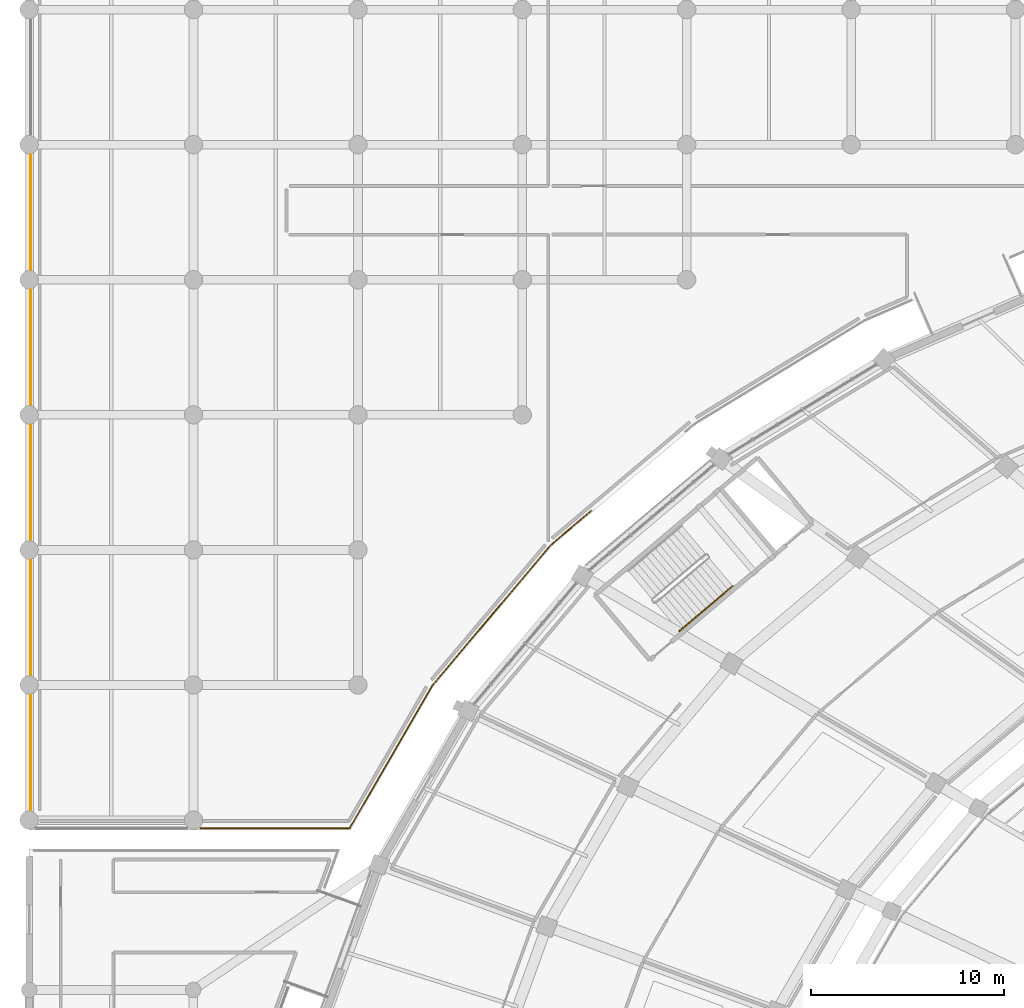
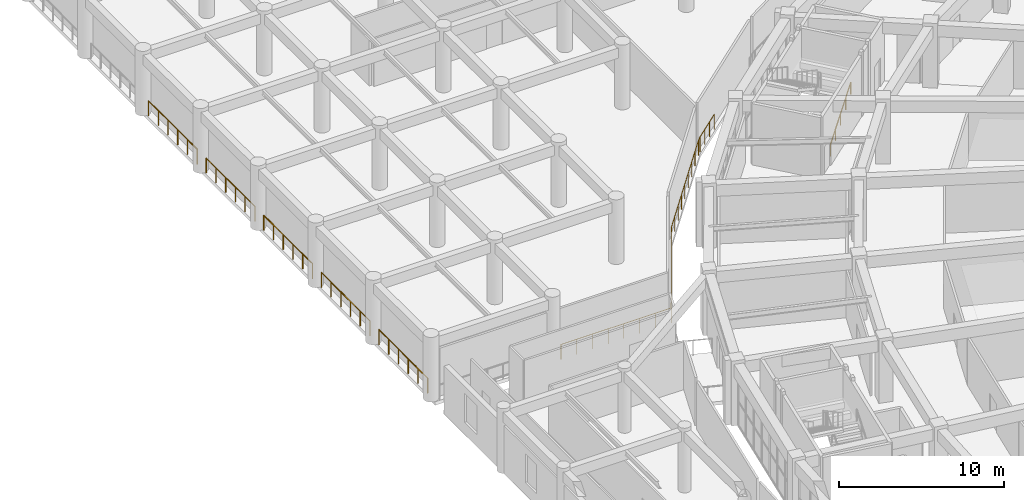
# One storey, part 143 of 152: 7 railings.
"""IFC4 building model written with IfcOpenShell, lengths in metres."""

from ifc_helpers import new_model, si_unit, direction, frame, origin, origin_2d, place, context, subcontext, project, spatial, circle, extrude, material, type_object, element, save


model = new_model("IFC4")

# Units and contexts
model_context = context("Model", 3, precision=1e-05, world=origin(), true_north=direction((0.0, 1.0)))
body_context = subcontext(model_context, "Body", "Model", "MODEL_VIEW")
ifc_project = project(units=[si_unit("LENGTHUNIT", "METRE"), si_unit("AREAUNIT", "SQUARE_METRE"), si_unit("VOLUMEUNIT", "CUBIC_METRE"), si_unit("PLANEANGLEUNIT", "RADIAN"), si_unit("MASSUNIT", "GRAM", prefix="KILO")], contexts=[model_context])

# Site, building, storey
site_placement = place(None, origin())
site = spatial("IfcSite", under=ifc_project, at=site_placement, CompositionType="ELEMENT")
building_placement = place(site_placement, origin())
building = spatial("IfcBuilding", under=site, at=building_placement, Name="Mphavela Belvedere Stadium", CompositionType="ELEMENT")
storey_placement = place(building_placement, frame((0.0, 0.0, 5.39990234375)))
storey = spatial("IfcBuildingStorey", under=building, at=storey_placement, Name="L01", CompositionType="ELEMENT", Elevation=5.39990234375)

# Railings
ifc_material_1 = material(Name="Bronze and laminated glass stadium balustrade", Category="glass")
railing_type_1 = type_object("IfcRailingType", Name="RAL-BALUSTRADE-1120", PredefinedType="BALUSTRADE", material=ifc_material_1)
railing_1_placement = place(storey_placement, frame((29.1396484375, 141.0400390625, 0.0)))
element("IfcRailing", 1, at=railing_1_placement, inside=storey, type_object=railing_type_1, Name="Peristyle wing gallery edge balustrade L01-35", PredefinedType="BALUSTRADE", context=body_context, shape_type="SweptSolid", body=[
    extrude(circle(Radius=0.02392578125, at=origin_2d()), frame((0.0, 0.0, 1.09619140625), z_axis=(-0.764250179802, -0.64491988857, 0.0), x_axis=(0.64491988857, -0.764250179802, 0.0)), (0.0, 0.0, 1.0), 2.54931640625),
    extrude(circle(Radius=0.02392578125, at=origin_2d()), frame((-1.9482421875, -1.64404296875, 1.09619140625), z_axis=(-0.707747566275, -0.706465414887, 0.0), x_axis=(0.706465414887, -0.707747566275, 0.0)), (0.0, 0.0, 1.0), 0.380859375),
    extrude(circle(Radius=0.02392578125, at=origin_2d()), frame((-2.2177734375, -1.9130859375, 1.09619140625), z_axis=(-0.644472492073, -0.764627495557, 0.0), x_axis=(0.764627495557, -0.644472492073, 0.0)), (0.0, 0.0, 1.0), 9.352783203125),
    extrude(circle(Radius=0.02392578125, at=origin_2d()), frame((-8.245361328125, -9.064453125, 1.09619140625), z_axis=(-0.501496666229, -0.86515957705, 0.0), x_axis=(0.86515957705, -0.501496666229, 0.0)), (0.0, 0.0, 1.0), 8.548095703125),
    extrude(circle(Radius=0.02392578125, at=origin_2d()), frame((-12.5322265625, -16.4599609375, 1.09619140625), z_axis=(-1.0, 0.0, 0.0), x_axis=(0.0, -1.0, 0.0)), (0.0, 0.0, 1.0), 7.73388671875),
    extrude(circle(Radius=0.02099609375, at=origin_2d()), origin(), (0.0, 0.0, 1.0), 1.072021484375),
    extrude(circle(Radius=0.02099609375, at=origin_2d()), frame((-0.6494140625, -0.548095703125, 0.0)), (0.0, 0.0, 1.0), 1.072021484375),
    extrude(circle(Radius=0.02099609375, at=origin_2d()), frame((-1.298828125, -1.095947265625, 0.0)), (0.0, 0.0, 1.0), 1.072021484375),
    extrude(circle(Radius=0.02099609375, at=origin_2d()), frame((-1.9482421875, -1.64404296875, 0.0)), (0.0, 0.0, 1.0), 1.072021484375),
    extrude(circle(Radius=0.02099609375, at=origin_2d()), frame((-2.2177734375, -1.9130859375, 0.0)), (0.0, 0.0, 1.0), 1.072021484375),
    extrude(circle(Radius=0.02099609375, at=origin_2d()), frame((-2.97119140625, -2.80712890625, 0.0)), (0.0, 0.0, 1.0), 1.072021484375),
    extrude(circle(Radius=0.02099609375, at=origin_2d()), frame((-3.724609375, -3.700927734375, 0.0)), (0.0, 0.0, 1.0), 1.072021484375),
    extrude(circle(Radius=0.02099609375, at=origin_2d()), frame((-4.47802734375, -4.5947265625, 0.0)), (0.0, 0.0, 1.0), 1.072021484375),
    extrude(circle(Radius=0.02099609375, at=origin_2d()), frame((-5.2314453125, -5.48876953125, 0.0)), (0.0, 0.0, 1.0), 1.072021484375),
    extrude(circle(Radius=0.02099609375, at=origin_2d()), frame((-5.985107421875, -6.3828125, 0.0)), (0.0, 0.0, 1.0), 1.072021484375),
    extrude(circle(Radius=0.02099609375, at=origin_2d()), frame((-6.738525390625, -7.276611328125, 0.0)), (0.0, 0.0, 1.0), 1.072021484375),
    extrude(circle(Radius=0.02099609375, at=origin_2d()), frame((-7.491943359375, -8.17041015625, 0.0)), (0.0, 0.0, 1.0), 1.072021484375),
    extrude(circle(Radius=0.02099609375, at=origin_2d()), frame((-8.245361328125, -9.064453125, 0.0)), (0.0, 0.0, 1.0), 1.072021484375),
    extrude(circle(Radius=0.02099609375, at=origin_2d()), frame((-8.78125, -9.98876953125, 0.0)), (0.0, 0.0, 1.0), 1.072021484375),
    extrude(circle(Radius=0.02099609375, at=origin_2d()), frame((-9.317138671875, -10.913330078125, 0.0)), (0.0, 0.0, 1.0), 1.072021484375),
    extrude(circle(Radius=0.02099609375, at=origin_2d()), frame((-9.85302734375, -11.837890625, 0.0)), (0.0, 0.0, 1.0), 1.072021484375),
    extrude(circle(Radius=0.02099609375, at=origin_2d()), frame((-10.388671875, -12.76220703125, 0.0)), (0.0, 0.0, 1.0), 1.072021484375),
    extrude(circle(Radius=0.02099609375, at=origin_2d()), frame((-10.924560546875, -13.6865234375, 0.0)), (0.0, 0.0, 1.0), 1.072021484375),
    extrude(circle(Radius=0.02099609375, at=origin_2d()), frame((-11.46044921875, -14.611083984375, 0.0)), (0.0, 0.0, 1.0), 1.072021484375),
    extrude(circle(Radius=0.02099609375, at=origin_2d()), frame((-11.996337890625, -15.53564453125, 0.0)), (0.0, 0.0, 1.0), 1.072021484375),
    extrude(circle(Radius=0.02099609375, at=origin_2d()), frame((-12.5322265625, -16.4599609375, 0.0)), (0.0, 0.0, 1.0), 1.072021484375),
    extrude(circle(Radius=0.02099609375, at=origin_2d()), frame((-13.636962890625, -16.4599609375, 0.0)), (0.0, 0.0, 1.0), 1.072021484375),
    extrude(circle(Radius=0.02099609375, at=origin_2d()), frame((-14.741943359375, -16.4599609375, 0.0)), (0.0, 0.0, 1.0), 1.072021484375),
    extrude(circle(Radius=0.02099609375, at=origin_2d()), frame((-15.8466796875, -16.4599609375, 0.0)), (0.0, 0.0, 1.0), 1.072021484375),
    extrude(circle(Radius=0.02099609375, at=origin_2d()), frame((-16.95166015625, -16.4599609375, 0.0)), (0.0, 0.0, 1.0), 1.072021484375),
    extrude(circle(Radius=0.02099609375, at=origin_2d()), frame((-18.056396484375, -16.4599609375, 0.0)), (0.0, 0.0, 1.0), 1.072021484375),
    extrude(circle(Radius=0.02099609375, at=origin_2d()), frame((-19.161376953125, -16.4599609375, 0.0)), (0.0, 0.0, 1.0), 1.072021484375),
    extrude(circle(Radius=0.02099609375, at=origin_2d()), frame((-20.26611328125, -16.4599609375, 0.0)), (0.0, 0.0, 1.0), 1.072021484375),
])
for number, where, name in (
    (2, (0.080078125, 125.54345703125, 0.0), "Peristyle wing gallery edge balustrade L01-37"),
    (3, (0.080078125, 132.54345703125, 0.0), "Peristyle wing gallery edge balustrade L01-38"),
    (4, (0.080078125, 139.54345703125, 0.0), "Peristyle wing gallery edge balustrade L01-39"),
    (5, (0.080078125, 146.54345703125, 0.0), "Peristyle wing gallery edge balustrade L01-40"),
    (6, (0.080078125, 153.54345703125, 0.0), "Peristyle wing gallery edge balustrade L01-41"),
):
    element("IfcRailing", number, at=place(storey_placement, frame(where)), inside=storey, type_object=railing_type_1, Name=name, PredefinedType="BALUSTRADE", context=body_context, shape_type="SweptSolid", body=[
        extrude(circle(Radius=0.02392578125, at=origin_2d()), frame((0.0, 0.0, 1.09619140625), z_axis=(0.0, 1.0, 0.0), x_axis=(-1.0, 0.0, 0.0)), (0.0, 0.0, 1.0), 5.9130859375),
        extrude(circle(Radius=0.02099609375, at=origin_2d()), origin(), (0.0, 0.0, 1.0), 1.072021484375),
        extrude(circle(Radius=0.02099609375, at=origin_2d()), frame((0.0, 1.1826171875, 0.0)), (0.0, 0.0, 1.0), 1.072021484375),
        extrude(circle(Radius=0.02099609375, at=origin_2d()), frame((0.0, 2.365234375, 0.0)), (0.0, 0.0, 1.0), 1.072021484375),
        extrude(circle(Radius=0.02099609375, at=origin_2d()), frame((0.0, 3.5478515625, 0.0)), (0.0, 0.0, 1.0), 1.072021484375),
        extrude(circle(Radius=0.02099609375, at=origin_2d()), frame((0.0, 4.73046875, 0.0)), (0.0, 0.0, 1.0), 1.072021484375),
        extrude(circle(Radius=0.02099609375, at=origin_2d()), frame((0.0, 5.9130859375, 0.0)), (0.0, 0.0, 1.0), 1.072021484375),
    ])
ifc_material_2 = material(Name="Brushed stainless steel tubular handrail", Category="steel")
railing_type_2 = type_object("IfcRailingType", Name="RAL-HANDRAIL-900", PredefinedType="HANDRAIL", material=ifc_material_2)
railing_2_placement = place(storey_placement, frame((33.687255859375, 134.79150390625, 0.184814453125)))
element("IfcRailing", 7, at=railing_2_placement, inside=storey, type_object=railing_type_2, Name="L01 ST-C05 stair handrail 1", PredefinedType="HANDRAIL", context=body_context, shape_type="SweptSolid", body=[
    extrude(circle(Radius=0.02392578125, at=origin_2d()), frame((0.0, 0.0, 0.8759765625), z_axis=(0.652055103025, 0.55025771344, 0.521575106211), x_axis=(-0.644929967424, 0.764241674549, 0.0)), (0.0, 0.0, 1.0), 4.247314453125),
    extrude(circle(Radius=0.02099609375, at=origin_2d()), origin(), (0.0, 0.0, 1.0), 0.851806640625),
    extrude(circle(Radius=0.02099609375, at=origin_2d()), frame((0.6923828125, 0.584228515625, 0.5537109375)), (0.0, 0.0, 1.0), 0.851806640625),
    extrude(circle(Radius=0.02099609375, at=origin_2d()), frame((1.384765625, 1.16845703125, 1.107666015625)), (0.0, 0.0, 1.0), 0.851806640625),
    extrude(circle(Radius=0.02099609375, at=origin_2d()), frame((2.0771484375, 1.7529296875, 1.66162109375)), (0.0, 0.0, 1.0), 0.851806640625),
    extrude(circle(Radius=0.02099609375, at=origin_2d()), frame((2.76953125, 2.337158203125, 2.21533203125)), (0.0, 0.0, 1.0), 0.851806640625),
])

save(model, "model.ifc")
